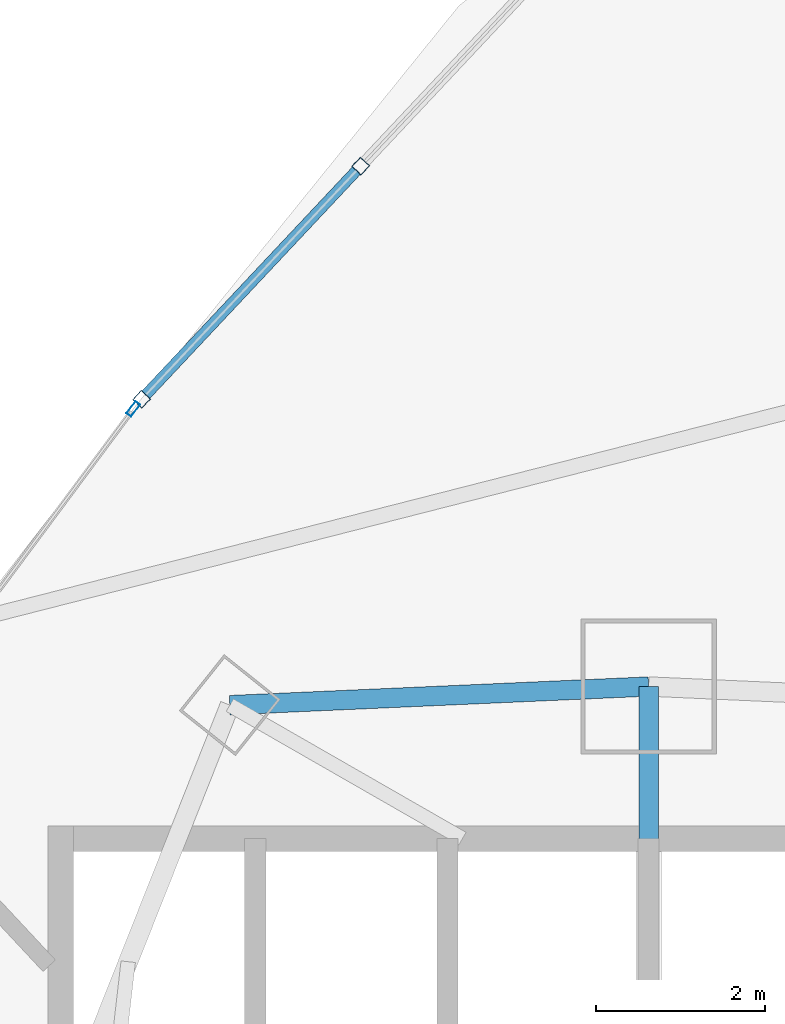
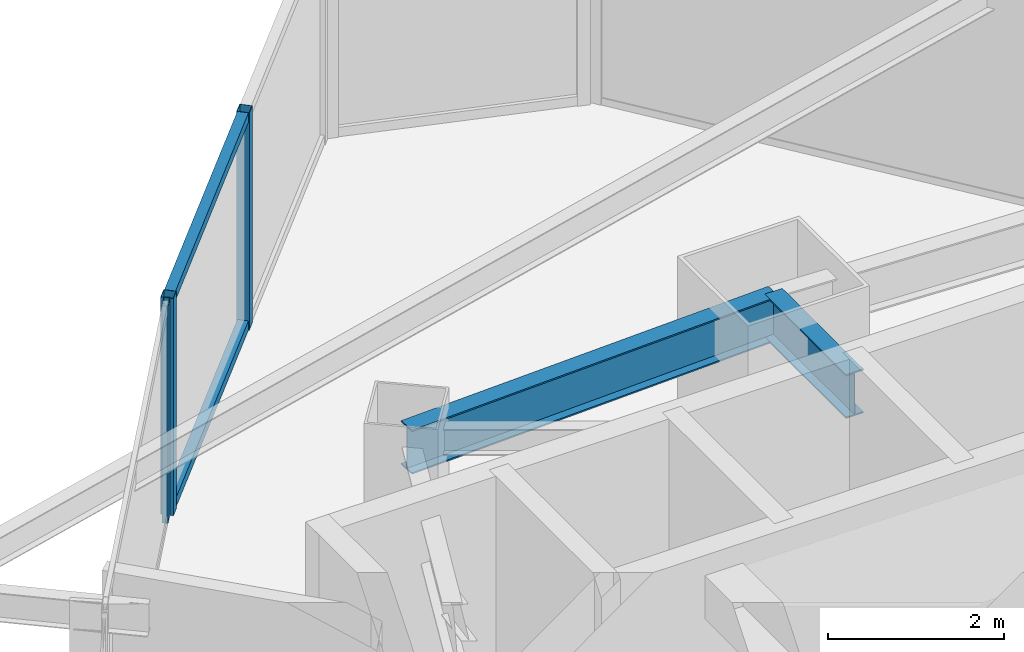
# One storey, part 21 of 33: 5 members, 2 beams, 2 elements without a shape of their own.
"""IFC4 building model written with IfcOpenShell, lengths in metres."""

import ifcopenshell
import ifcopenshell.guid

model = None  # the IFC model being written
_history = None  # IfcOwnerHistory: only IFC2X3 demands one
_inside = {}  # id of a spatial element -> (the spatial element, [elements in it])
_under = {}  # id of a project, library or spatial element -> (it, [spatial elements below it])
_declared = {}  # id of a project -> (the project, [libraries it declares])
_typed = {}  # id of a type object -> (the type object, [elements of that type])
_made_of = {}  # id of a material, layer set ... -> (it, [elements and type objects made of it])


def new_model(schema):
    """Start an empty IFC model of exactly this schema.

    Asked for "IFC4X3", IfcOpenShell would pick the latest addendum, in which some entities
    have other attributes; the version numbers below select the first issue.
    IFC2X3 requires an IfcOwnerHistory on every rooted entity: one is made here for all.
    """
    global model, _history
    if schema == "IFC4X3":
        model = ifcopenshell.file(schema_version=(4, 3, 0, 0))
    else:
        model = ifcopenshell.file(schema=schema)
    _inside.clear()
    _under.clear()
    _declared.clear()
    _typed.clear()
    _made_of.clear()
    _history = None
    if model.schema == "IFC2X3":
        org = make("IfcOrganization", Name="unknown")
        user = make(
            "IfcPersonAndOrganization",
            ThePerson=make("IfcPerson", FamilyName="unknown"),
            TheOrganization=org,
        )
        app = make(
            "IfcApplication",
            ApplicationDeveloper=org,
            Version="unknown",
            ApplicationFullName="unknown",
            ApplicationIdentifier="unknown",
        )
        _history = make(
            "IfcOwnerHistory",
            OwningUser=user,
            OwningApplication=app,
            ChangeAction="ADDED",
            CreationDate=0,
        )
    return model


def make(cls, **values):
    """One entity of the class cls with the attributes given. An attribute that is None is left unset."""
    return model.create_entity(
        cls, **{name: value for name, value in values.items() if value is not None}
    )


def rooted(cls, **values):
    """An entity with a GlobalId (a new one), such as an element, a storey or a relation."""
    return make(cls, GlobalId=ifcopenshell.guid.new(), OwnerHistory=_history, **values)


def si_unit(unit_type, name, prefix=None):
    """IfcSIUnit, for example si_unit("LENGTHUNIT", "METRE", prefix="MILLI")."""
    return make("IfcSIUnit", UnitType=unit_type, Prefix=prefix, Name=name)


def assignment(units):
    """IfcUnitAssignment: the units of a project."""
    return None if units is None else make("IfcUnitAssignment", Units=units)


def point(xyz):
    """IfcCartesianPoint."""
    return None if xyz is None else make("IfcCartesianPoint", Coordinates=xyz)


def direction(xyz):
    """IfcDirection."""
    return None if xyz is None else make("IfcDirection", DirectionRatios=xyz)


def frame(location, z_axis=None, x_axis=None):
    """IfcAxis2Placement3D, a coordinate frame: its origin and axes. An axis left out is left unset."""
    return make(
        "IfcAxis2Placement3D",
        Location=point(location),
        Axis=direction(z_axis),
        RefDirection=direction(x_axis),
    )


def frame_2d(location, x_axis=None):
    """IfcAxis2Placement2D, a coordinate frame in the plane: its origin and x axis."""
    return make(
        "IfcAxis2Placement2D", Location=point(location), RefDirection=direction(x_axis)
    )


def origin():
    """The frame at (0, 0, 0) with its axes left unset."""
    return frame((0.0, 0.0, 0.0))


def origin_2d():
    """The frame at (0, 0) in the plane with its x axis left unset."""
    return frame_2d((0.0, 0.0))


def place(relative_to, where):
    """IfcLocalPlacement: puts the frame where relative to a parent placement (None: the world)."""
    return make(
        "IfcLocalPlacement", PlacementRelTo=relative_to, RelativePlacement=where
    )


def context(
    kind, dimensions, precision=None, world=None, true_north=None, identifier=None
):
    """IfcGeometricRepresentationContext, for example the 3D "Model" context."""
    return make(
        "IfcGeometricRepresentationContext",
        ContextIdentifier=identifier,
        ContextType=kind,
        CoordinateSpaceDimension=dimensions,
        Precision=precision,
        WorldCoordinateSystem=world,
        TrueNorth=true_north,
    )


def subcontext(parent, identifier, kind, view, scale=None):
    """IfcGeometricRepresentationSubContext, for example "Body" below "Model"."""
    return make(
        "IfcGeometricRepresentationSubContext",
        ContextIdentifier=identifier,
        ContextType=kind,
        ParentContext=parent,
        TargetScale=scale,
        TargetView=view,
    )


def project(units=None, contexts=None):
    """IfcProject with its units and contexts."""
    return rooted(
        "IfcProject",
        Name="project",
        RepresentationContexts=contexts,
        UnitsInContext=assignment(units),
    )


def spatial(cls, under=None, at=None, **own):
    """A site, building, storey or space (cls), placed at a placement, below another one or the project."""
    s = rooted(cls, ObjectPlacement=at, **own)
    if under is not None:
        _under.setdefault(under.id(), (under, []))[1].append(s)
    return s


def profile(cls, at=None, kind="AREA", **sizes):
    """A parametric profile (cls). Its sizes go by their IFC names, for example OverallWidth=200.0."""
    return make(cls, ProfileType=kind, Position=at, **sizes)


def hollow_rectangle(**sizes):
    """IfcRectangleHollowProfileDef."""
    return profile("IfcRectangleHollowProfileDef", **sizes)


def i_section(**sizes):
    """IfcIShapeProfileDef."""
    return profile("IfcIShapeProfileDef", **sizes)


def extrude(swept, where, along, depth):
    """IfcExtrudedAreaSolid: the profile swept, set in the frame where, extruded along a direction by depth."""
    return make(
        "IfcExtrudedAreaSolid",
        SweptArea=swept,
        Position=where,
        ExtrudedDirection=direction(along),
        Depth=depth,
    )


def shape(context_of_items, identifier, shape_type, items):
    """IfcShapeRepresentation: the items that make up one representation, for example the "Body"."""
    return make(
        "IfcShapeRepresentation",
        ContextOfItems=context_of_items,
        RepresentationIdentifier=identifier,
        RepresentationType=shape_type,
        Items=items,
    )


def material(Name=None, Category=None):
    """IfcMaterial."""
    return make("IfcMaterial", Name=Name, Category=Category)


def layer(
    of_material, thickness, ventilated=None, Name=None, Category=None, Priority=None
):
    """IfcMaterialLayer: one layer of a wall or slab, of a material (None: an air gap)."""
    return make(
        "IfcMaterialLayer",
        Material=of_material,
        LayerThickness=thickness,
        IsVentilated=ventilated,
        Name=Name,
        Category=Category,
        Priority=Priority,
    )


def layer_set(layers, Name=None):
    """IfcMaterialLayerSet."""
    return make("IfcMaterialLayerSet", MaterialLayers=layers, LayerSetName=Name)


def material_profile(
    of_material, cross_section, Name=None, Category=None, Priority=None
):
    """IfcMaterialProfile: a cross section and its material."""
    return make(
        "IfcMaterialProfile",
        Name=Name,
        Material=of_material,
        Profile=cross_section,
        Priority=Priority,
        Category=Category,
    )


def profile_set(profiles, Name=None, composite=None):
    """IfcMaterialProfileSet."""
    return make(
        "IfcMaterialProfileSet",
        Name=Name,
        MaterialProfiles=profiles,
        CompositeProfile=composite,
    )


def made_of(thing, what):
    """Note that an element or type object is made of a material, layer set ...; save() writes the relation."""
    if what is not None:
        _made_of.setdefault(what.id(), (what, []))[1].append(thing)
    return thing


def type_object(cls, material=None, **own):
    """A type object (cls), such as IfcWallType, which elements share."""
    return made_of(rooted(cls, **own), material)


def element(
    cls,
    number,
    at=None,
    inside=None,
    cuts=None,
    type_object=None,
    material=None,
    context=None,
    identifier="Body",
    shape_type=None,
    held_by="IfcProductDefinitionShape",
    body=None,
    shapes=None,
    **own,
):
    """One element of the class cls, such as IfcWall. Its Tag is "e" and its number.

    at: its placement. inside: the storey or other place that contains it. cuts: it is an
    opening in that element (IfcRelVoidsElement). A single representation is given by context,
    identifier, shape_type and body (its items); several are given by shapes. held_by: the class
    of the entity that holds the representations. save() writes the other relations.
    """
    e = rooted(cls, Tag="e%d" % number, ObjectPlacement=at, **own)
    if body is not None:
        shapes = [shape(context, identifier, shape_type, body)]
    if shapes is not None:
        e.Representation = make(held_by, Representations=shapes)
    if inside is not None:
        _inside.setdefault(inside.id(), (inside, []))[1].append(e)
    if cuts is not None:
        rooted(
            "IfcRelVoidsElement", RelatingBuildingElement=cuts, RelatedOpeningElement=e
        )
    if type_object is not None:
        _typed.setdefault(type_object.id(), (type_object, []))[1].append(e)
    return made_of(e, material)


def aggregate(whole, parts):
    """IfcRelAggregates: a whole, such as a stair, and the parts it consists of."""
    return rooted("IfcRelAggregates", RelatingObject=whole, RelatedObjects=parts)


def save(model, path):
    """Write the relations noted so far, then the file.

    IfcRelAggregates (storeys below a building ...), IfcRelContainedInSpatialStructure (elements
    in a storey), IfcRelDefinesByType, IfcRelAssociatesMaterial and IfcRelDeclares: one each for
    every whole, place, type object, material and project.
    """
    for whole, parts in _under.values():
        aggregate(whole, parts)
    for where, things in _inside.values():
        rooted(
            "IfcRelContainedInSpatialStructure",
            RelatedElements=things,
            RelatingStructure=where,
        )
    for kind, things in _typed.values():
        rooted("IfcRelDefinesByType", RelatedObjects=things, RelatingType=kind)
    for what, things in _made_of.values():
        rooted("IfcRelAssociatesMaterial", RelatedObjects=things, RelatingMaterial=what)
    for by, libraries in _declared.values():
        rooted("IfcRelDeclares", RelatingContext=by, RelatedDefinitions=libraries)
    model.write(path)


model = new_model("IFC4")

# Units and contexts
model_context = context("Model", 3, precision=1e-05, world=origin(), true_north=direction((0.0, 1.0)))
body_context = subcontext(model_context, "Body", "Model", "MODEL_VIEW")
ifc_project = project(units=[si_unit("LENGTHUNIT", "METRE"), si_unit("AREAUNIT", "SQUARE_METRE"), si_unit("VOLUMEUNIT", "CUBIC_METRE"), si_unit("PLANEANGLEUNIT", "RADIAN"), si_unit("MASSUNIT", "GRAM", prefix="KILO")], contexts=[model_context])

# Site, building, storey
site_placement = place(None, origin())
site = spatial("IfcSite", under=ifc_project, at=site_placement, CompositionType="ELEMENT")
building_placement = place(site_placement, origin())
building = spatial("IfcBuilding", under=site, at=building_placement, Name="Orvanel Arch Residences", CompositionType="ELEMENT")
storey_placement = place(building_placement, frame((0.0, 0.0, 93.949951171875)))
storey = spatial("IfcBuildingStorey", under=building, at=storey_placement, Name="L26", CompositionType="ELEMENT", Elevation=93.949951171875)

# Beam
ifc_material_1 = material(Name="Structural steel AS/NZS 3679.1 Grade 300 (300 MPa)", Category="steel")
ifc_material_profile_1 = material_profile(ifc_material_1, i_section(OverallWidth=0.22900390625, OverallDepth=0.612060546875, WebThickness=0.011962890625, FlangeThickness=0.01953125, at=origin_2d()), Name="610UB125")
ifc_profile_set_1 = profile_set([ifc_material_profile_1], Name="Structural steel AS/NZS 3679.1 Grade 300 (300 MPa)")
beam_type_1 = type_object("IfcBeamType", Name="BG-610UB", PredefinedType="BEAM", material=ifc_profile_set_1)
beam_1_placement = place(storey_placement, frame((33.0, 39.550048828125, 2.714111328125), z_axis=(0.0, 1.0, 0.0), x_axis=(-1.0, 0.0, 0.0)))
element("IfcBeam", 1, at=beam_1_placement, inside=storey, type_object=beam_type_1, Name="L26 North Radial Girder", PredefinedType="BEAM", context=body_context, shape_type="SweptSolid", body=[
    extrude(i_section(OverallWidth=0.22900390625, OverallDepth=0.612060546875, WebThickness=0.011962890625, FlangeThickness=0.01953125, at=origin_2d()), origin(), (0.0, 0.0, 1.0), 1.847900390625),
])

# Curtain wall, members
ifc_material_2 = material(Name="Bronze-anodised aluminium AA6063-T6", Category="aluminium")
ifc_layer_1 = layer(ifc_material_2, 0.18994140625)
ifc_layer_set_1 = layer_set([ifc_layer_1], Name="Bronze-anodised aluminium AA6063-T6")
curtain_wall_type_1 = type_object("IfcCurtainWallType", Name="CW5-CRN-SYS", PredefinedType="NOTDEFINED", material=ifc_layer_set_1)
curtain_wall_1_placement = place(storey_placement, origin())
curtain_wall_1 = element("IfcCurtainWall", 2, at=curtain_wall_1_placement, inside=storey, type_object=curtain_wall_type_1, Name="L26 CW5-CRN-SYS Unitised Curtain Wall", PredefinedType="NOTDEFINED")
ifc_material_profile_2 = material_profile(ifc_material_2, hollow_rectangle(XDim=0.14990234375, YDim=0.14990234375, WallThickness=0.0048828125, at=origin_2d()), Name="ALU150x150x5")
ifc_profile_set_2 = profile_set([ifc_material_profile_2], Name="Bronze-anodised aluminium AA6063-T6")
member_type_1 = type_object("IfcMemberType", Name="MUL-150x150", PredefinedType="MULLION", material=ifc_profile_set_2)
member_1_placement = place(storey_placement, frame((29.596923828125, 47.549560546875, 0.0), z_axis=(0.0, 0.0, 1.0), x_axis=(0.72886179286, -0.684660855394, 0.0)))
member_1 = element("IfcMember", 3, at=member_1_placement, type_object=member_type_1, Name="CW-S5 mullion 2", PredefinedType="MULLION", context=body_context, shape_type="SweptSolid", body=[
    extrude(hollow_rectangle(XDim=0.14990234375, YDim=0.14990234375, WallThickness=0.0048828125, at=origin_2d()), origin(), (0.0, 0.0, 1.0), 3.02001953125),
])
member_2_placement = place(storey_placement, frame((27.00732421875, 44.792724609375, 0.0), z_axis=(0.0, 0.0, 1.0), x_axis=(0.72886179286, -0.684660855394, 0.0)))
member_2 = element("IfcMember", 4, at=member_2_placement, type_object=member_type_1, Name="CW-S5 mullion 3", PredefinedType="MULLION", context=body_context, shape_type="SweptSolid", body=[
    extrude(hollow_rectangle(XDim=0.14990234375, YDim=0.14990234375, WallThickness=0.0048828125, at=origin_2d()), origin(), (0.0, 0.0, 1.0), 3.02001953125),
])

# Curtain wall, member
ifc_layer_2 = layer(ifc_material_2, 0.179931640625)
ifc_layer_set_2 = layer_set([ifc_layer_2], Name="Bronze-anodised aluminium AA6063-T6")
curtain_wall_type_2 = type_object("IfcCurtainWallType", Name="CW2-LOW-SYS", PredefinedType="NOTDEFINED", material=ifc_layer_set_2)
curtain_wall_2_placement = place(storey_placement, origin())
curtain_wall_2 = element("IfcCurtainWall", 5, at=curtain_wall_2_placement, inside=storey, type_object=curtain_wall_type_2, Name="L26 CW2-LOW-SYS Unitised Curtain Wall", PredefinedType="NOTDEFINED")
ifc_material_profile_3 = material_profile(ifc_material_2, hollow_rectangle(XDim=0.070068359375, YDim=0.179931640625, WallThickness=0.00439453125, at=origin_2d()), Name="ALU180x70x4.5")
ifc_profile_set_3 = profile_set([ifc_material_profile_3], Name="Bronze-anodised aluminium AA6063-T6")
member_type_2 = type_object("IfcMemberType", Name="MUL-180x70", PredefinedType="MULLION", material=ifc_profile_set_3)
member_3_placement = place(storey_placement, frame((26.9091796875, 44.678955078125, 0.0), z_axis=(0.0, 0.0, 1.0), x_axis=(0.802592798057, -0.596527283959, 0.0)))
member_3 = element("IfcMember", 6, at=member_3_placement, type_object=member_type_2, Name="CW-S2 mullion 1", PredefinedType="MULLION", context=body_context, shape_type="SweptSolid", body=[
    extrude(hollow_rectangle(XDim=0.070068359375, YDim=0.179931640625, WallThickness=0.00439453125, at=origin_2d()), origin(), (0.0, 0.0, 1.0), 3.02001953125),
])
aggregate(curtain_wall_2, [member_3])

# Beam
ifc_material_profile_4 = material_profile(ifc_material_1, i_section(OverallWidth=0.22900390625, OverallDepth=0.612060546875, WebThickness=0.011962890625, FlangeThickness=0.01953125, at=origin_2d()), Name="610UB125")
ifc_profile_set_4 = profile_set([ifc_material_profile_4], Name="Structural steel AS/NZS 3679.1 Grade 300 (300 MPa)")
beam_type_2 = type_object("IfcBeamType", Name="SP-610UB", PredefinedType="SPANDREL", material=ifc_profile_set_4)
beam_2_placement = place(storey_placement, frame((33.0, 41.39794921875, 2.714111328125), z_axis=(-0.999014049296, -0.044395149614, 0.0), x_axis=(0.044395149614, -0.999014049296, 0.0)))
element("IfcBeam", 7, at=beam_2_placement, inside=storey, type_object=beam_type_2, Name="L26 Perimeter Spandrel Beam 17", PredefinedType="SPANDREL", context=body_context, shape_type="SweptSolid", body=[
    extrude(i_section(OverallWidth=0.22900390625, OverallDepth=0.612060546875, WebThickness=0.011962890625, FlangeThickness=0.01953125, at=origin_2d()), origin(), (0.0, 0.0, 1.0), 4.954833984375),
])

# Member
ifc_material_profile_5 = material_profile(ifc_material_2, hollow_rectangle(XDim=0.1298828125, YDim=0.1298828125, WallThickness=0.00439453125, at=origin_2d()), Name="ALU130x130x4.5")
ifc_profile_set_5 = profile_set([ifc_material_profile_5], Name="Bronze-anodised aluminium AA6063-T6")
member_type_3 = type_object("IfcMemberType", Name="TRN-130x130", PredefinedType="USERDEFINED", material=ifc_profile_set_5)
member_4_placement = place(storey_placement, frame((29.545654296875, 47.494873046875, 0.06494140625), z_axis=(-0.68468303521, -0.728840957477, 0.0), x_axis=(0.728840957477, -0.68468303521, 0.0)))
member_4 = element("IfcMember", 8, at=member_4_placement, type_object=member_type_3, Name="CW-S5 transom 2.1", ObjectType="TRANSOM", PredefinedType="USERDEFINED", context=body_context, shape_type="SweptSolid", body=[
    extrude(hollow_rectangle(XDim=0.1298828125, YDim=0.1298828125, WallThickness=0.00439453125, at=origin_2d()), origin(), (0.0, 0.0, 1.0), 3.63232421875),
])

member_5_placement = place(storey_placement, frame((29.545654296875, 47.494873046875, 2.955078125), z_axis=(-0.68468303521, -0.728840957477, 0.0), x_axis=(0.728840957477, -0.68468303521, 0.0)))
member_5 = element("IfcMember", 9, at=member_5_placement, type_object=member_type_3, Name="CW-S5 transom 2.2", ObjectType="TRANSOM", PredefinedType="USERDEFINED", context=body_context, shape_type="SweptSolid", body=[
    extrude(hollow_rectangle(XDim=0.1298828125, YDim=0.1298828125, WallThickness=0.00439453125, at=origin_2d()), origin(), (0.0, 0.0, 1.0), 3.63232421875),
])

aggregate(curtain_wall_1, [member_1, member_2, member_4, member_5])

save(model, "model.ifc")
